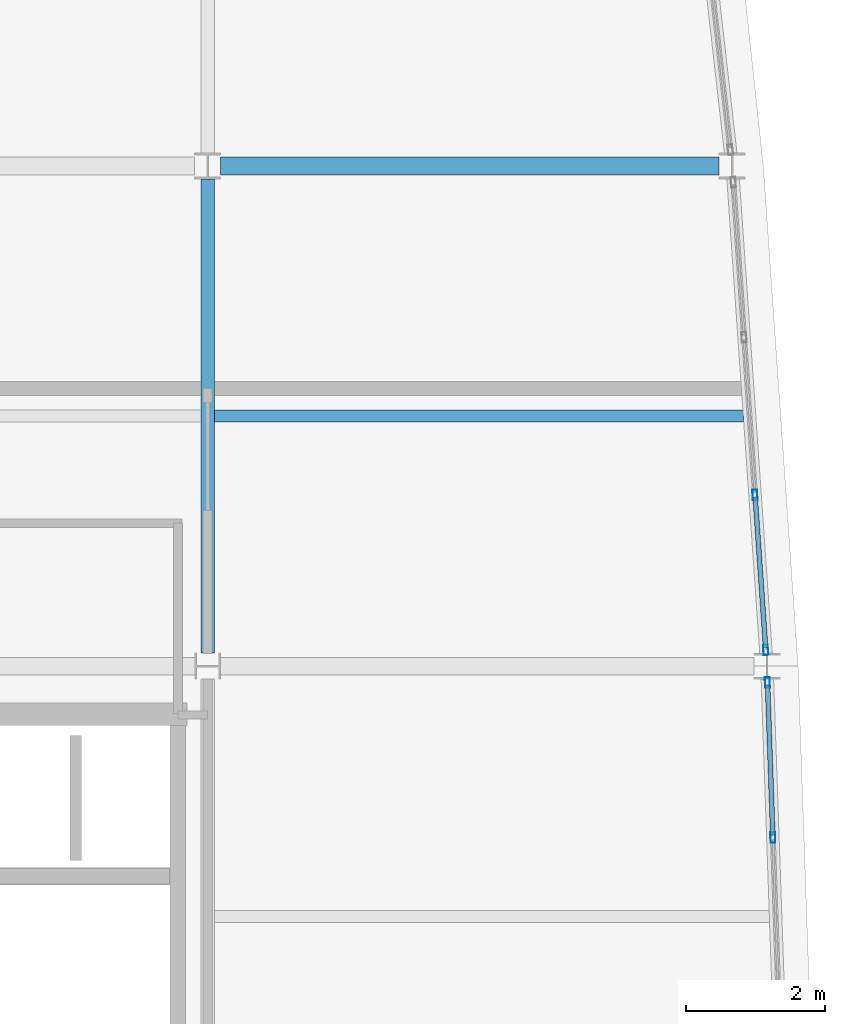
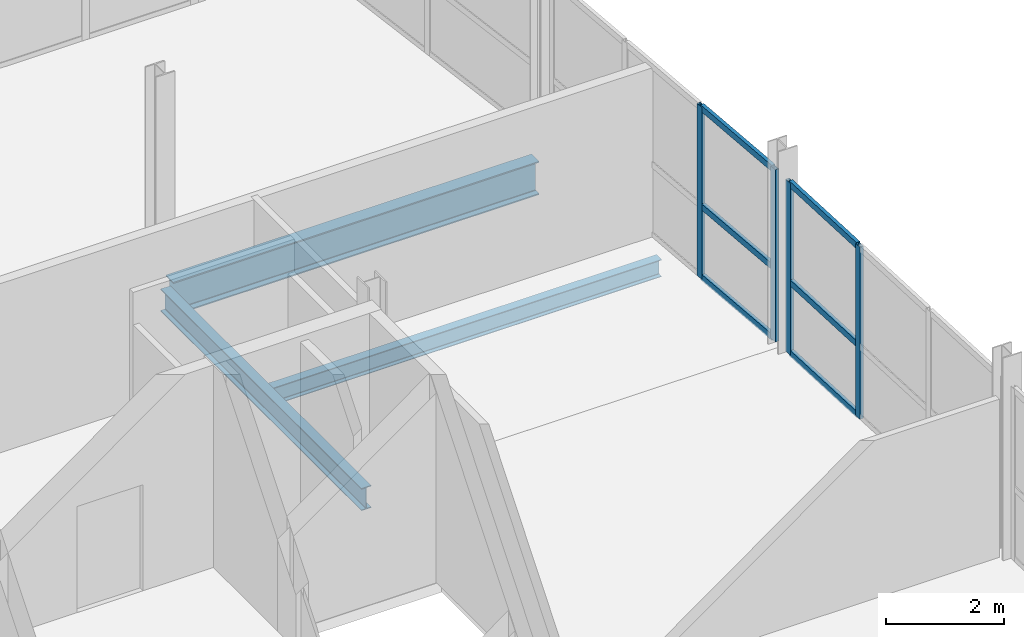
# One storey, part 8 of 20: 10 members, 3 beams, 2 elements without a shape of their own.
"""IFC4 building model written with IfcOpenShell, lengths in metres."""

from ifc_helpers import new_model, si_unit, direction, frame, origin, origin_2d, place, context, subcontext, project, spatial, hollow_rectangle, i_section, extrude, material, layer, layer_set, material_profile, profile_set, type_object, element, aggregate, save


model = new_model("IFC4")

# Units and contexts
model_context = context("Model", 3, precision=1e-05, world=origin(), true_north=direction((0.0, 1.0)))
body_context = subcontext(model_context, "Body", "Model", "MODEL_VIEW")
ifc_project = project(units=[si_unit("LENGTHUNIT", "METRE"), si_unit("AREAUNIT", "SQUARE_METRE"), si_unit("VOLUMEUNIT", "CUBIC_METRE"), si_unit("PLANEANGLEUNIT", "RADIAN"), si_unit("MASSUNIT", "GRAM", prefix="KILO")], contexts=[model_context])

# Site, building, storey
site_placement = place(None, origin())
site = spatial("IfcSite", under=ifc_project, at=site_placement, CompositionType="ELEMENT")
building_placement = place(site_placement, origin())
building = spatial("IfcBuilding", under=site, at=building_placement, Name="Quillay Park Conservatory", CompositionType="ELEMENT")
storey_placement = place(building_placement, frame((0.0, 0.0, 26.699951171875)))
storey = spatial("IfcBuildingStorey", under=building, at=storey_placement, Name="L06", CompositionType="ELEMENT", Elevation=26.699951171875)

# Beam
ifc_material_1 = material(Name="Steel ASTM A992 Grade 50", Category="steel")
ifc_material_profile_1 = material_profile(ifc_material_1, i_section(OverallWidth=0.172119140625, OverallDepth=0.35791015625, WebThickness=0.0078125, FlangeThickness=0.01318359375, FilletRadius=0.010986328125, at=origin_2d()), Name="W360x57")
ifc_profile_set_1 = profile_set([ifc_material_profile_1], Name="Steel ASTM A992 Grade 50")
beam_type_1 = type_object("IfcBeamType", Name="COMPOSITE FLOOR JOIST W360 X57", PredefinedType="JOIST", material=ifc_profile_set_1)
beam_1_placement = place(storey_placement, frame((19.845947265625, 103.199951171875, -0.39892578125), z_axis=(1.0, 0.0, 0.0), x_axis=(0.0, 1.0, 0.0)))
element("IfcBeam", 1, at=beam_1_placement, inside=storey, type_object=beam_type_1, Name="L06 beam BM-J-0507", PredefinedType="JOIST", context=body_context, shape_type="SweptSolid", body=[
    extrude(i_section(OverallWidth=0.172119140625, OverallDepth=0.35791015625, WebThickness=0.0078125, FlangeThickness=0.01318359375, FilletRadius=0.010986328125, at=origin_2d()), origin(), (0.0, 0.0, 1.0), 7.614013671875),
])

# Curtain wall, members
ifc_material_2 = material(Name="Thermally Broken Anodised Aluminium 6063-T6", Category="aluminium")
ifc_layer = layer(ifc_material_2, 0.199951171875)
ifc_layer_set = layer_set([ifc_layer], Name="UNITISED CURTAIN WALL HERBARIUM (Thermally Broken Anodised Aluminium 6063-T6)")
curtain_wall_type = type_object("IfcCurtainWallType", Name="UNITISED CURTAIN WALL HERBARIUM", PredefinedType="USERDEFINED", material=ifc_layer_set)
curtain_wall_1_placement = place(storey_placement, origin())
curtain_wall_1 = element("IfcCurtainWall", 2, at=curtain_wall_1_placement, inside=storey, type_object=curtain_wall_type, Name="L06 Unitised Curtain Wall 062", ObjectType="UNITISED CURTAIN WALL", PredefinedType="USERDEFINED")
ifc_material_3 = material(Name="Thermally Broken Anodised Aluminium 6063-T6", Category="aluminium")
ifc_material_profile_2 = material_profile(ifc_material_3, hollow_rectangle(XDim=0.070068359375, YDim=0.14990234375, WallThickness=0.00341796875, at=origin_2d()), Name="AL70x150x3.5")
ifc_profile_set_2 = profile_set([ifc_material_profile_2], Name="Thermally Broken Anodised Aluminium 6063-T6")
member_type_1 = type_object("IfcMemberType", Name="CURTAIN WALL MULLION 70 X150", PredefinedType="MULLION", material=ifc_profile_set_2)
member_1_placement = place(storey_placement, frame((27.80810546875, 99.365234375, 0.0), z_axis=(0.0, 0.0, 1.0), x_axis=(0.999397310446, 0.034713338537, 0.0)))
member_1 = element("IfcMember", 3, at=member_1_placement, type_object=member_type_1, Name="CW-T2 mullion 1", PredefinedType="MULLION", context=body_context, shape_type="SweptSolid", body=[
    extrude(hollow_rectangle(XDim=0.070068359375, YDim=0.14990234375, WallThickness=0.00341796875, at=origin_2d()), origin(), (0.0, 0.0, 1.0), 3.569091796875),
])
member_2_placement = place(storey_placement, frame((27.8857421875, 97.13330078125, 0.0), z_axis=(0.0, 0.0, 1.0), x_axis=(0.999397310446, 0.034713338537, 0.0)))
member_2 = element("IfcMember", 4, at=member_2_placement, type_object=member_type_1, Name="CW-T2 mullion 2", PredefinedType="MULLION", context=body_context, shape_type="SweptSolid", body=[
    extrude(hollow_rectangle(XDim=0.070068359375, YDim=0.14990234375, WallThickness=0.00341796875, at=origin_2d()), origin(), (0.0, 0.0, 1.0), 3.569091796875),
])

curtain_wall_2_placement = place(storey_placement, origin())
curtain_wall_2 = element("IfcCurtainWall", 5, at=curtain_wall_2_placement, inside=storey, type_object=curtain_wall_type, Name="L06 Unitised Curtain Wall 063", ObjectType="UNITISED CURTAIN WALL", PredefinedType="USERDEFINED")
member_3_placement = place(storey_placement, frame((27.628662109375, 102.06640625, 0.0), z_axis=(0.0, 0.0, 1.0), x_axis=(0.99759835015, 0.069264217159, 0.0)))
member_3 = element("IfcMember", 6, at=member_3_placement, type_object=member_type_1, Name="CW-T2 mullion 3", PredefinedType="MULLION", context=body_context, shape_type="SweptSolid", body=[
    extrude(hollow_rectangle(XDim=0.070068359375, YDim=0.14990234375, WallThickness=0.00341796875, at=origin_2d()), origin(), (0.0, 0.0, 1.0), 3.569091796875),
])
member_4_placement = place(storey_placement, frame((27.78369140625, 99.83447265625, 0.0), z_axis=(0.0, 0.0, 1.0), x_axis=(0.99759835015, 0.069264217159, 0.0)))
member_4 = element("IfcMember", 7, at=member_4_placement, type_object=member_type_1, Name="CW-T2 mullion 4", PredefinedType="MULLION", context=body_context, shape_type="SweptSolid", body=[
    extrude(hollow_rectangle(XDim=0.070068359375, YDim=0.14990234375, WallThickness=0.00341796875, at=origin_2d()), origin(), (0.0, 0.0, 1.0), 3.569091796875),
])

# Member
ifc_material_4 = material(Name="Thermally Broken Anodised Aluminium 6063-T6", Category="aluminium")
ifc_material_profile_3 = material_profile(ifc_material_4, hollow_rectangle(XDim=0.070068359375, YDim=0.1298828125, WallThickness=0.003173828125, at=origin_2d()), Name="AL70x130x3.2")
ifc_profile_set_3 = profile_set([ifc_material_profile_3], Name="Thermally Broken Anodised Aluminium 6063-T6")
member_type_2 = type_object("IfcMemberType", Name="CURTAIN WALL TRANSOM 70 X130", PredefinedType="USERDEFINED", material=ifc_profile_set_3)
member_5_placement = place(storey_placement, frame((27.809326171875, 99.330078125, 0.03515625), z_axis=(0.034765508592, -0.999395496994, 0.0), x_axis=(0.999395496994, 0.034765508592, 0.0)))
member_5 = element("IfcMember", 8, at=member_5_placement, type_object=member_type_2, Name="CW-T2 transom 1.1", ObjectType="TRANSOM", PredefinedType="USERDEFINED", context=body_context, shape_type="SweptSolid", body=[
    extrude(hollow_rectangle(XDim=0.070068359375, YDim=0.1298828125, WallThickness=0.003173828125, at=origin_2d()), origin(), (0.0, 0.0, 1.0), 2.162841796875),
])

member_6_placement = place(storey_placement, frame((27.809326171875, 99.330078125, 1.4990234375), z_axis=(0.034765508592, -0.999395496994, 0.0), x_axis=(0.999395496994, 0.034765508592, 0.0)))
member_6 = element("IfcMember", 9, at=member_6_placement, type_object=member_type_2, Name="CW-T2 transom 1.2", ObjectType="TRANSOM", PredefinedType="USERDEFINED", context=body_context, shape_type="SweptSolid", body=[
    extrude(hollow_rectangle(XDim=0.070068359375, YDim=0.1298828125, WallThickness=0.003173828125, at=origin_2d()), origin(), (0.0, 0.0, 1.0), 2.162841796875),
])

member_7_placement = place(storey_placement, frame((27.809326171875, 99.330078125, 3.533935546875), z_axis=(0.034765508592, -0.999395496994, 0.0), x_axis=(0.999395496994, 0.034765508592, 0.0)))
member_7 = element("IfcMember", 10, at=member_7_placement, type_object=member_type_2, Name="CW-T2 transom 1.3", ObjectType="TRANSOM", PredefinedType="USERDEFINED", context=body_context, shape_type="SweptSolid", body=[
    extrude(hollow_rectangle(XDim=0.070068359375, YDim=0.1298828125, WallThickness=0.003173828125, at=origin_2d()), origin(), (0.0, 0.0, 1.0), 2.162841796875),
])

aggregate(curtain_wall_1, [member_1, member_2, member_5, member_6, member_7])

member_8_placement = place(storey_placement, frame((27.631103515625, 102.031494140625, 0.03515625), z_axis=(0.069277598678, -0.997597420968, 0.0), x_axis=(0.997597420968, 0.069277598678, 0.0)))
member_8 = element("IfcMember", 11, at=member_8_placement, type_object=member_type_2, Name="CW-T2 transom 3.1", ObjectType="TRANSOM", PredefinedType="USERDEFINED", context=body_context, shape_type="SweptSolid", body=[
    extrude(hollow_rectangle(XDim=0.070068359375, YDim=0.1298828125, WallThickness=0.003173828125, at=origin_2d()), origin(), (0.0, 0.0, 1.0), 2.167236328125),
])

member_9_placement = place(storey_placement, frame((27.631103515625, 102.031494140625, 1.4990234375), z_axis=(0.069277598678, -0.997597420968, 0.0), x_axis=(0.997597420968, 0.069277598678, 0.0)))
member_9 = element("IfcMember", 12, at=member_9_placement, type_object=member_type_2, Name="CW-T2 transom 3.2", ObjectType="TRANSOM", PredefinedType="USERDEFINED", context=body_context, shape_type="SweptSolid", body=[
    extrude(hollow_rectangle(XDim=0.070068359375, YDim=0.1298828125, WallThickness=0.003173828125, at=origin_2d()), origin(), (0.0, 0.0, 1.0), 2.167236328125),
])

member_10_placement = place(storey_placement, frame((27.631103515625, 102.031494140625, 3.533935546875), z_axis=(0.069277598678, -0.997597420968, 0.0), x_axis=(0.997597420968, 0.069277598678, 0.0)))
member_10 = element("IfcMember", 13, at=member_10_placement, type_object=member_type_2, Name="CW-T2 transom 3.3", ObjectType="TRANSOM", PredefinedType="USERDEFINED", context=body_context, shape_type="SweptSolid", body=[
    extrude(hollow_rectangle(XDim=0.070068359375, YDim=0.1298828125, WallThickness=0.003173828125, at=origin_2d()), origin(), (0.0, 0.0, 1.0), 2.167236328125),
])

aggregate(curtain_wall_2, [member_3, member_4, member_8, member_9, member_10])

# Beams
ifc_material_5 = material(Name="Steel ASTM A992 Grade 50", Category="steel")
ifc_material_profile_4 = material_profile(ifc_material_5, i_section(OverallWidth=0.19189453125, OverallDepth=0.462890625, WebThickness=0.010498046875, FlangeThickness=0.017578125, FilletRadius=0.012939453125, at=origin_2d()), Name="W460x89")
ifc_profile_set_4 = profile_set([ifc_material_profile_4], Name="Steel ASTM A992 Grade 50")
beam_type_2 = type_object("IfcBeamType", Name="PRIMARY FLOOR GIRDER W460 X89", PredefinedType="BEAM", material=ifc_profile_set_4)
beam_2_placement = place(storey_placement, frame((19.75, 99.787109375, -0.451416015625), z_axis=(0.0, 1.0, 0.0), x_axis=(-1.0, 0.0, 0.0)))
element("IfcBeam", 14, at=beam_2_placement, inside=storey, type_object=beam_type_2, Name="L06 beam BM-GNS-0505", PredefinedType="BEAM", context=body_context, shape_type="SweptSolid", body=[
    extrude(i_section(OverallWidth=0.19189453125, OverallDepth=0.462890625, WebThickness=0.010498046875, FlangeThickness=0.017578125, FilletRadius=0.012939453125, at=origin_2d()), origin(), (0.0, 0.0, 1.0), 6.826904296875),
])
ifc_material_6 = material(Name="Steel ASTM A992 Grade 50", Category="steel")
ifc_material_profile_5 = material_profile(ifc_material_6, i_section(OverallWidth=0.256103515625, OverallDepth=0.693115234375, WebThickness=0.014404296875, FlangeThickness=0.023681640625, FilletRadius=0.01611328125, at=origin_2d()), Name="W690x170")
ifc_profile_set_5 = profile_set([ifc_material_profile_5], Name="Steel ASTM A992 Grade 50")
beam_type_3 = type_object("IfcBeamType", Name="PRIMARY FLOOR GIRDER W690 X170", PredefinedType="BEAM", material=ifc_profile_set_5)
beam_3_placement = place(storey_placement, frame((19.93701171875, 106.800048828125, -0.56640625), z_axis=(1.0, 0.0, 0.0), x_axis=(0.0, 1.0, 0.0)))
element("IfcBeam", 15, at=beam_3_placement, inside=storey, type_object=beam_type_3, Name="L06 beam BM-HB-0466", PredefinedType="BEAM", context=body_context, shape_type="SweptSolid", body=[
    extrude(i_section(OverallWidth=0.256103515625, OverallDepth=0.693115234375, WebThickness=0.014404296875, FlangeThickness=0.023681640625, FilletRadius=0.01611328125, at=origin_2d()), origin(), (0.0, 0.0, 1.0), 7.176025390625),
])

save(model, "model.ifc")
